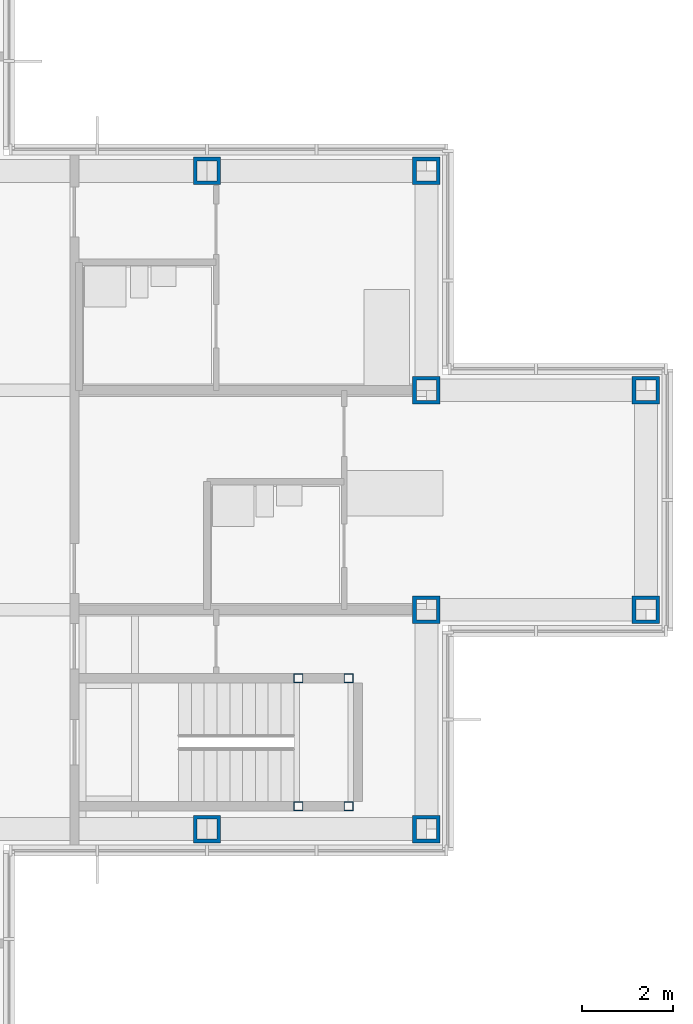
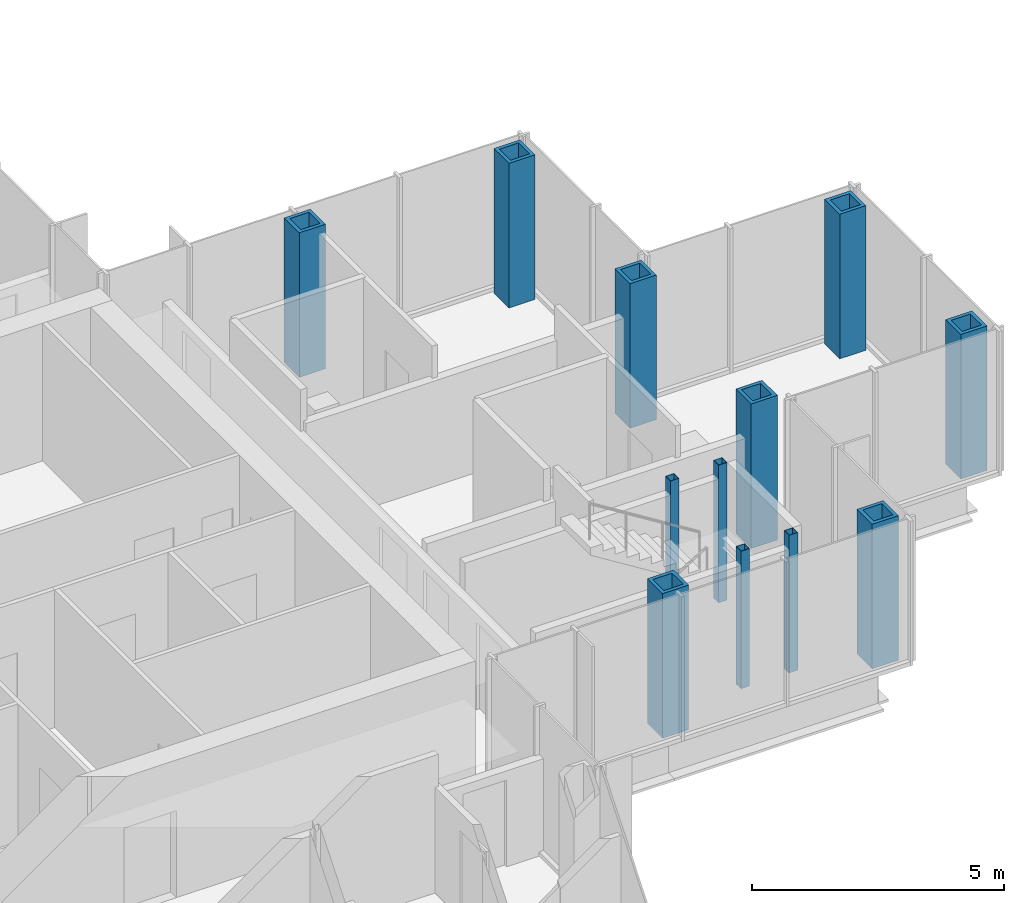
# One storey, part 4 of 17: 12 columns.
"""IFC4 building model written with IfcOpenShell, lengths in metres."""

import ifcopenshell
import ifcopenshell.guid

model = None  # the IFC model being written
_history = None  # IfcOwnerHistory: only IFC2X3 demands one
_inside = {}  # id of a spatial element -> (the spatial element, [elements in it])
_under = {}  # id of a project, library or spatial element -> (it, [spatial elements below it])
_declared = {}  # id of a project -> (the project, [libraries it declares])
_typed = {}  # id of a type object -> (the type object, [elements of that type])
_made_of = {}  # id of a material, layer set ... -> (it, [elements and type objects made of it])


def new_model(schema):
    """Start an empty IFC model of exactly this schema.

    Asked for "IFC4X3", IfcOpenShell would pick the latest addendum, in which some entities
    have other attributes; the version numbers below select the first issue.
    IFC2X3 requires an IfcOwnerHistory on every rooted entity: one is made here for all.
    """
    global model, _history
    if schema == "IFC4X3":
        model = ifcopenshell.file(schema_version=(4, 3, 0, 0))
    else:
        model = ifcopenshell.file(schema=schema)
    _inside.clear()
    _under.clear()
    _declared.clear()
    _typed.clear()
    _made_of.clear()
    _history = None
    if model.schema == "IFC2X3":
        org = make("IfcOrganization", Name="unknown")
        user = make(
            "IfcPersonAndOrganization",
            ThePerson=make("IfcPerson", FamilyName="unknown"),
            TheOrganization=org,
        )
        app = make(
            "IfcApplication",
            ApplicationDeveloper=org,
            Version="unknown",
            ApplicationFullName="unknown",
            ApplicationIdentifier="unknown",
        )
        _history = make(
            "IfcOwnerHistory",
            OwningUser=user,
            OwningApplication=app,
            ChangeAction="ADDED",
            CreationDate=0,
        )
    return model


def make(cls, **values):
    """One entity of the class cls with the attributes given. An attribute that is None is left unset."""
    return model.create_entity(
        cls, **{name: value for name, value in values.items() if value is not None}
    )


def rooted(cls, **values):
    """An entity with a GlobalId (a new one), such as an element, a storey or a relation."""
    return make(cls, GlobalId=ifcopenshell.guid.new(), OwnerHistory=_history, **values)


def si_unit(unit_type, name, prefix=None):
    """IfcSIUnit, for example si_unit("LENGTHUNIT", "METRE", prefix="MILLI")."""
    return make("IfcSIUnit", UnitType=unit_type, Prefix=prefix, Name=name)


def assignment(units):
    """IfcUnitAssignment: the units of a project."""
    return None if units is None else make("IfcUnitAssignment", Units=units)


def point(xyz):
    """IfcCartesianPoint."""
    return None if xyz is None else make("IfcCartesianPoint", Coordinates=xyz)


def direction(xyz):
    """IfcDirection."""
    return None if xyz is None else make("IfcDirection", DirectionRatios=xyz)


def frame(location, z_axis=None, x_axis=None):
    """IfcAxis2Placement3D, a coordinate frame: its origin and axes. An axis left out is left unset."""
    return make(
        "IfcAxis2Placement3D",
        Location=point(location),
        Axis=direction(z_axis),
        RefDirection=direction(x_axis),
    )


def frame_2d(location, x_axis=None):
    """IfcAxis2Placement2D, a coordinate frame in the plane: its origin and x axis."""
    return make(
        "IfcAxis2Placement2D", Location=point(location), RefDirection=direction(x_axis)
    )


def origin():
    """The frame at (0, 0, 0) with its axes left unset."""
    return frame((0.0, 0.0, 0.0))


def origin_2d():
    """The frame at (0, 0) in the plane with its x axis left unset."""
    return frame_2d((0.0, 0.0))


def place(relative_to, where):
    """IfcLocalPlacement: puts the frame where relative to a parent placement (None: the world)."""
    return make(
        "IfcLocalPlacement", PlacementRelTo=relative_to, RelativePlacement=where
    )


def context(
    kind, dimensions, precision=None, world=None, true_north=None, identifier=None
):
    """IfcGeometricRepresentationContext, for example the 3D "Model" context."""
    return make(
        "IfcGeometricRepresentationContext",
        ContextIdentifier=identifier,
        ContextType=kind,
        CoordinateSpaceDimension=dimensions,
        Precision=precision,
        WorldCoordinateSystem=world,
        TrueNorth=true_north,
    )


def subcontext(parent, identifier, kind, view, scale=None):
    """IfcGeometricRepresentationSubContext, for example "Body" below "Model"."""
    return make(
        "IfcGeometricRepresentationSubContext",
        ContextIdentifier=identifier,
        ContextType=kind,
        ParentContext=parent,
        TargetScale=scale,
        TargetView=view,
    )


def project(units=None, contexts=None):
    """IfcProject with its units and contexts."""
    return rooted(
        "IfcProject",
        Name="project",
        RepresentationContexts=contexts,
        UnitsInContext=assignment(units),
    )


def spatial(cls, under=None, at=None, **own):
    """A site, building, storey or space (cls), placed at a placement, below another one or the project."""
    s = rooted(cls, ObjectPlacement=at, **own)
    if under is not None:
        _under.setdefault(under.id(), (under, []))[1].append(s)
    return s


def profile(cls, at=None, kind="AREA", **sizes):
    """A parametric profile (cls). Its sizes go by their IFC names, for example OverallWidth=200.0."""
    return make(cls, ProfileType=kind, Position=at, **sizes)


def hollow_rectangle(**sizes):
    """IfcRectangleHollowProfileDef."""
    return profile("IfcRectangleHollowProfileDef", **sizes)


def extrude(swept, where, along, depth):
    """IfcExtrudedAreaSolid: the profile swept, set in the frame where, extruded along a direction by depth."""
    return make(
        "IfcExtrudedAreaSolid",
        SweptArea=swept,
        Position=where,
        ExtrudedDirection=direction(along),
        Depth=depth,
    )


def shape(context_of_items, identifier, shape_type, items):
    """IfcShapeRepresentation: the items that make up one representation, for example the "Body"."""
    return make(
        "IfcShapeRepresentation",
        ContextOfItems=context_of_items,
        RepresentationIdentifier=identifier,
        RepresentationType=shape_type,
        Items=items,
    )


def material(Name=None, Category=None):
    """IfcMaterial."""
    return make("IfcMaterial", Name=Name, Category=Category)


def material_profile(
    of_material, cross_section, Name=None, Category=None, Priority=None
):
    """IfcMaterialProfile: a cross section and its material."""
    return make(
        "IfcMaterialProfile",
        Name=Name,
        Material=of_material,
        Profile=cross_section,
        Priority=Priority,
        Category=Category,
    )


def profile_set(profiles, Name=None, composite=None):
    """IfcMaterialProfileSet."""
    return make(
        "IfcMaterialProfileSet",
        Name=Name,
        MaterialProfiles=profiles,
        CompositeProfile=composite,
    )


def made_of(thing, what):
    """Note that an element or type object is made of a material, layer set ...; save() writes the relation."""
    if what is not None:
        _made_of.setdefault(what.id(), (what, []))[1].append(thing)
    return thing


def type_object(cls, material=None, **own):
    """A type object (cls), such as IfcWallType, which elements share."""
    return made_of(rooted(cls, **own), material)


def element(
    cls,
    number,
    at=None,
    inside=None,
    cuts=None,
    type_object=None,
    material=None,
    context=None,
    identifier="Body",
    shape_type=None,
    held_by="IfcProductDefinitionShape",
    body=None,
    shapes=None,
    **own,
):
    """One element of the class cls, such as IfcWall. Its Tag is "e" and its number.

    at: its placement. inside: the storey or other place that contains it. cuts: it is an
    opening in that element (IfcRelVoidsElement). A single representation is given by context,
    identifier, shape_type and body (its items); several are given by shapes. held_by: the class
    of the entity that holds the representations. save() writes the other relations.
    """
    e = rooted(cls, Tag="e%d" % number, ObjectPlacement=at, **own)
    if body is not None:
        shapes = [shape(context, identifier, shape_type, body)]
    if shapes is not None:
        e.Representation = make(held_by, Representations=shapes)
    if inside is not None:
        _inside.setdefault(inside.id(), (inside, []))[1].append(e)
    if cuts is not None:
        rooted(
            "IfcRelVoidsElement", RelatingBuildingElement=cuts, RelatedOpeningElement=e
        )
    if type_object is not None:
        _typed.setdefault(type_object.id(), (type_object, []))[1].append(e)
    return made_of(e, material)


def aggregate(whole, parts):
    """IfcRelAggregates: a whole, such as a stair, and the parts it consists of."""
    return rooted("IfcRelAggregates", RelatingObject=whole, RelatedObjects=parts)


def save(model, path):
    """Write the relations noted so far, then the file.

    IfcRelAggregates (storeys below a building ...), IfcRelContainedInSpatialStructure (elements
    in a storey), IfcRelDefinesByType, IfcRelAssociatesMaterial and IfcRelDeclares: one each for
    every whole, place, type object, material and project.
    """
    for whole, parts in _under.values():
        aggregate(whole, parts)
    for where, things in _inside.values():
        rooted(
            "IfcRelContainedInSpatialStructure",
            RelatedElements=things,
            RelatingStructure=where,
        )
    for kind, things in _typed.values():
        rooted("IfcRelDefinesByType", RelatedObjects=things, RelatingType=kind)
    for what, things in _made_of.values():
        rooted("IfcRelAssociatesMaterial", RelatedObjects=things, RelatingMaterial=what)
    for by, libraries in _declared.values():
        rooted("IfcRelDeclares", RelatingContext=by, RelatedDefinitions=libraries)
    model.write(path)


model = new_model("IFC4")

# Units and contexts
model_context = context("Model", 3, precision=1e-05, world=origin(), true_north=direction((0.0, 1.0)))
body_context = subcontext(model_context, "Body", "Model", "MODEL_VIEW")
ifc_project = project(units=[si_unit("LENGTHUNIT", "METRE"), si_unit("AREAUNIT", "SQUARE_METRE"), si_unit("VOLUMEUNIT", "CUBIC_METRE"), si_unit("PLANEANGLEUNIT", "RADIAN"), si_unit("MASSUNIT", "GRAM", prefix="KILO")], contexts=[model_context])

# Site, building, storey
site_placement = place(None, origin())
site = spatial("IfcSite", under=ifc_project, at=site_placement, CompositionType="ELEMENT")
building_placement = place(site_placement, origin())
building = spatial("IfcBuilding", under=site, at=building_placement, Name="Kvirike Care Tower", CompositionType="ELEMENT")
storey_placement = place(building_placement, frame((0.0, 0.0, 172.5)))
storey = spatial("IfcBuildingStorey", under=building, at=storey_placement, Name="L47", CompositionType="ELEMENT", Elevation=172.5)

# Columns
ifc_material_1 = material(Name="Steel S460", Category="steel")
ifc_material_profile_1 = material_profile(ifc_material_1, hollow_rectangle(XDim=0.60009765625, YDim=0.60009765625, WallThickness=0.080078125, at=origin_2d()), Name="BX 600x600x80")
ifc_profile_set_1 = profile_set([ifc_material_profile_1], Name="Steel S460")
column_type_1 = type_object("IfcColumnType", Name="COLUMN BX 600x600x80", PredefinedType="COLUMN", material=ifc_profile_set_1)
for number, where, z_axis, x_axis, name in (
    (1, (33.60009765625, 28.800048828125, 0.0), (0.0, 0.0, 1.0), (0.0, 1.0, 0.0), "Column G10 L47"),
    (2, (33.60009765625, 43.199951171875, 0.0), (0.0, 0.0, 1.0), (0.0, 1.0, 0.0), "Column K10 L47"),
    (3, (38.39990234375, 28.800048828125, 0.0), (0.0, 0.0, 1.0), (0.0, 1.0, 0.0), "Column G11 L47"),
    (4, (38.39990234375, 33.60009765625, 0.0), (0.0, 0.0, 1.0), (0.0, 1.0, 0.0), "Column H11 L47"),
    (5, (38.39990234375, 38.39990234375, 0.0), (0.0, 0.0, 1.0), (0.0, 1.0, 0.0), "Column J11 L47"),
    (6, (38.39990234375, 43.199951171875, 0.0), (0.0, 0.0, 1.0), (0.0, 1.0, 0.0), "Column K11 L47"),
    (7, (43.199951171875, 33.60009765625, 0.0), (0.0, 0.0, 1.0), (0.0, 1.0, 0.0), "Column H12 L47"),
    (8, (43.199951171875, 38.39990234375, 0.0), (0.0, 0.0, 1.0), (0.0, 1.0, 0.0), "Column J12 L47"),
):
    element("IfcColumn", number, at=place(storey_placement, frame(where, z_axis=z_axis, x_axis=x_axis)), inside=storey, type_object=column_type_1, Name=name, PredefinedType="COLUMN", context=body_context, shape_type="SweptSolid", body=[
        extrude(hollow_rectangle(XDim=0.60009765625, YDim=0.60009765625, WallThickness=0.080078125, at=origin_2d()), origin(), (0.0, 0.0, 1.0), 3.5),
    ])
ifc_material_2 = material(Name="Steel S460", Category="steel")
ifc_material_profile_2 = material_profile(ifc_material_2, hollow_rectangle(XDim=0.199951171875, YDim=0.199951171875, WallThickness=0.008056640625, at=origin_2d()), Name="SHS 200x200x8")
ifc_profile_set_2 = profile_set([ifc_material_profile_2], Name="Steel S460")
column_type_2 = type_object("IfcColumnType", Name="STAIR POST SHS 200x200x8", PredefinedType="COLUMN", material=ifc_profile_set_2)
for number, where, z_axis, x_axis, name in (
    (9, (36.699951171875, 29.300048828125, 0.0), (0.0, 0.0, 1.0), (1.0, 0.0, 0.0), "Stair 2 post 1 L47"),
    (10, (36.699951171875, 32.10009765625, 0.0), (0.0, 0.0, 1.0), (1.0, 0.0, 0.0), "Stair 2 post 2 L47"),
    (11, (35.60009765625, 29.300048828125, 0.0), (0.0, 0.0, 1.0), (1.0, 0.0, 0.0), "Stair 2 post 3 L47"),
    (12, (35.60009765625, 32.10009765625, 0.0), (0.0, 0.0, 1.0), (1.0, 0.0, 0.0), "Stair 2 post 4 L47"),
):
    element("IfcColumn", number, at=place(storey_placement, frame(where, z_axis=z_axis, x_axis=x_axis)), inside=storey, type_object=column_type_2, Name=name, PredefinedType="COLUMN", context=body_context, shape_type="SweptSolid", body=[
        extrude(hollow_rectangle(XDim=0.199951171875, YDim=0.199951171875, WallThickness=0.008056640625, at=origin_2d()), origin(), (0.0, 0.0, 1.0), 3.330078125),
    ])

save(model, "model.ifc")
